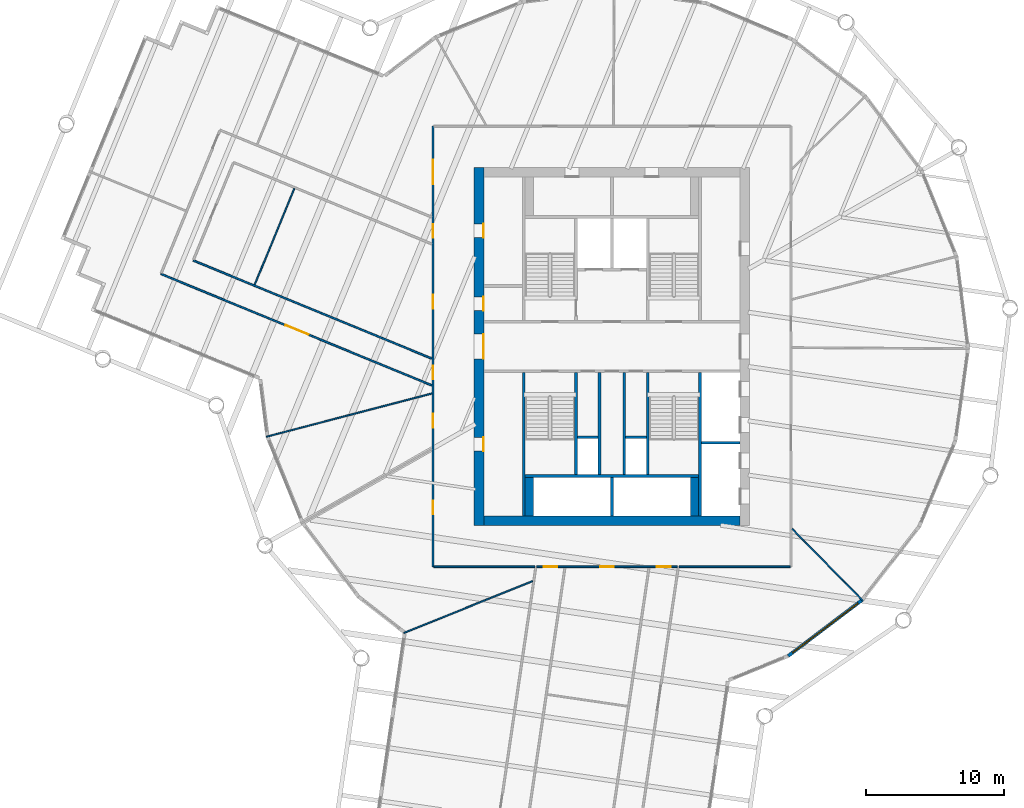
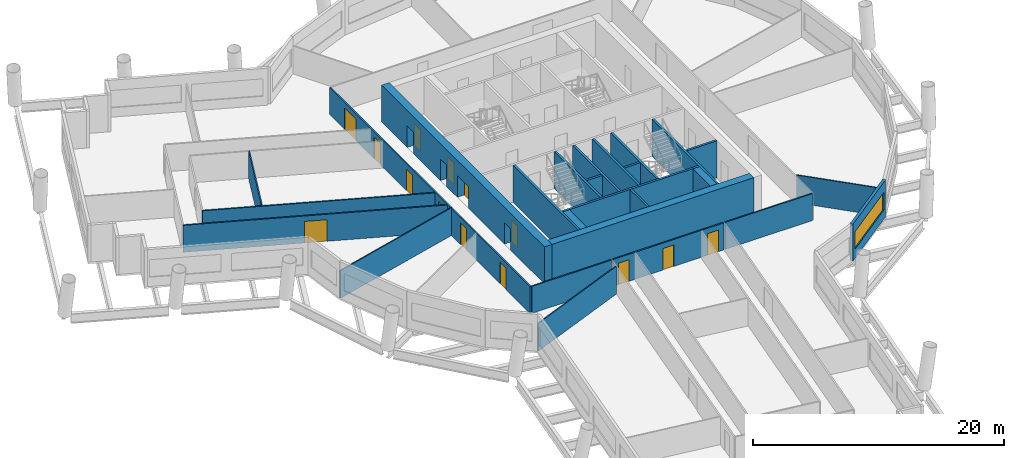
# One storey, part 4 of 11: 26 walls, 14 doors, 1 window, 15 openings.
"""IFC4 building model written with IfcOpenShell, lengths in metres."""

from ifc_helpers import new_model, si_unit, direction, frame, frame_2d, origin, place, context, subcontext, project, spatial, rectangle, extrude, material, layer, layer_set, type_object, element, fill, save


model = new_model("IFC4")

# Units and contexts
model_context = context("Model", 3, precision=1e-05, world=origin(), true_north=direction((0.0, 1.0)))
body_context = subcontext(model_context, "Body", "Model", "MODEL_VIEW")
ifc_project = project(units=[si_unit("LENGTHUNIT", "METRE"), si_unit("AREAUNIT", "SQUARE_METRE"), si_unit("VOLUMEUNIT", "CUBIC_METRE"), si_unit("PLANEANGLEUNIT", "RADIAN"), si_unit("MASSUNIT", "GRAM", prefix="KILO")], contexts=[model_context])

# Site, building, storey
site_placement = place(None, origin())
site = spatial("IfcSite", under=ifc_project, at=site_placement, CompositionType="ELEMENT")
building_placement = place(site_placement, origin())
building = spatial("IfcBuilding", under=site, at=building_placement, Name="Tarsis Ring Headquarters", CompositionType="ELEMENT")
storey_placement = place(building_placement, frame((0.0, 0.0, 190.5)))
storey = spatial("IfcBuildingStorey", under=building, at=storey_placement, Name="L44", CompositionType="ELEMENT", Elevation=190.5)

# Walls
ifc_material_1 = material(Name="Blockwork", Category="masonry")
ifc_layer_1 = layer(ifc_material_1, 0.199951171875)
ifc_layer_set_1 = layer_set([ifc_layer_1], Name="Core blockwork wall 200")
wall_type_1 = type_object("IfcWallType", Name="Core blockwork wall 200", PredefinedType="PARTITIONING", material=ifc_layer_set_1)
for number, where, z_axis, x_axis, name in (
    (1, (-2.5, -6.60009765625, 0.0), (0.0, 0.0, 1.0), (1.0, 0.0, 0.0), "Core partition SP1"),
    (2, (1.0, -6.60009765625, 0.0), (0.0, 0.0, 1.0), (1.0, 0.0, 0.0), "Core partition SP3"),
):
    element("IfcWall", number, at=place(storey_placement, frame(where, z_axis=z_axis, x_axis=x_axis)), inside=storey, type_object=wall_type_1, Name=name, PredefinedType="PARTITIONING", context=body_context, shape_type="SweptSolid", body=[
        extrude(rectangle(XDim=1.5, YDim=0.199951171875, at=frame_2d((0.75, 0.0))), origin(), (0.0, 0.0, 1.0), 3.60009765625),
    ])
for number, where, z_axis, x_axis, name in (
    (3, (-0.89990234375, -9.300048828125, 0.0), (0.0, 0.0, 1.0), (0.0, 1.0, 0.0), "Core partition SV1"),
    (4, (0.89990234375, -9.300048828125, 0.0), (0.0, 0.0, 1.0), (0.0, 1.0, 0.0), "Core partition SV2"),
):
    element("IfcWall", number, at=place(storey_placement, frame(where, z_axis=z_axis, x_axis=x_axis)), inside=storey, type_object=wall_type_1, Name=name, PredefinedType="PARTITIONING", context=body_context, shape_type="SweptSolid", body=[
        extrude(rectangle(XDim=7.400146484375, YDim=0.199951171875, at=frame_2d((3.7001953125, 0.0))), origin(), (0.0, 0.0, 1.0), 3.60009765625),
    ])

# Wall, openings, doors
ifc_material_2 = material(Name="Concrete C60/75", Category="concrete")
ifc_layer_2 = layer(ifc_material_2, 0.699951171875)
ifc_layer_set_2 = layer_set([ifc_layer_2], Name="Core wall 700 C60/75")
wall_type_2 = type_object("IfcWallType", Name="Core wall 700 C60/75", PredefinedType="SHEAR", material=ifc_layer_set_2)
wall_1_placement = place(storey_placement, frame((-9.64990234375, -13.0, 0.0), z_axis=(0.0, 0.0, 1.0), x_axis=(0.0, 1.0, 0.0)))
wall_1 = element("IfcWall", 5, at=wall_1_placement, inside=storey, type_object=wall_type_2, Name="Core wall OW", PredefinedType="SHEAR", context=body_context, shape_type="SweptSolid", body=[
    extrude(rectangle(XDim=26.0, YDim=0.699951171875, at=frame_2d((13.0, 0.0))), origin(), (0.0, 0.0, 1.0), 3.60009765625),
])
opening_1_placement = place(wall_1_placement, frame((5.39990234375, 0.0, 0.0)))
opening_1 = element("IfcOpeningElement", 6, at=opening_1_placement, cuts=wall_1, Name="Opening L44-C01", PredefinedType="OPENING", context=body_context, shape_type="SweptSolid", body=[
    extrude(rectangle(XDim=1.0, YDim=2.10009765625, at=frame_2d((0.5, 1.050048828125))), frame((0.0, 0.35986328125, 0.0), z_axis=(0.0, -1.0, 0.0), x_axis=(1.0, 0.0, 0.0)), (0.0, 0.0, 1.0), 0.719970703125),
])
opening_2_placement = place(wall_1_placement, frame((12.10009765625, 0.0, 0.0)))
opening_2 = element("IfcOpeningElement", 7, at=opening_2_placement, cuts=wall_1, Name="Opening L44-C02", PredefinedType="OPENING", context=body_context, shape_type="SweptSolid", body=[
    extrude(rectangle(XDim=1.800048828125, YDim=2.10009765625, at=frame_2d((0.89990234375, 1.050048828125))), frame((0.0, 0.35986328125, 0.0), z_axis=(0.0, -1.0, 0.0), x_axis=(1.0, 0.0, 0.0)), (0.0, 0.0, 1.0), 0.719970703125),
])
opening_3_placement = place(wall_1_placement, frame((15.60009765625, 0.0, 0.0)))
opening_3 = element("IfcOpeningElement", 8, at=opening_3_placement, cuts=wall_1, Name="Opening L44-C03", PredefinedType="OPENING", context=body_context, shape_type="SweptSolid", body=[
    extrude(rectangle(XDim=1.0, YDim=2.10009765625, at=frame_2d((0.5, 1.050048828125))), frame((0.0, 0.35986328125, 0.0), z_axis=(0.0, -1.0, 0.0), x_axis=(1.0, 0.0, 0.0)), (0.0, 0.0, 1.0), 0.719970703125),
])
opening_4_placement = place(wall_1_placement, frame((20.89990234375, 0.0, 0.0)))
opening_4 = element("IfcOpeningElement", 9, at=opening_4_placement, cuts=wall_1, Name="Opening L44-C04", PredefinedType="OPENING", context=body_context, shape_type="SweptSolid", body=[
    extrude(rectangle(XDim=1.0, YDim=2.10009765625, at=frame_2d((0.5, 1.050048828125))), frame((0.0, 0.35986328125, 0.0), z_axis=(0.0, -1.0, 0.0), x_axis=(1.0, 0.0, 0.0)), (0.0, 0.0, 1.0), 0.719970703125),
])
ifc_material_3 = material(Name="Steel S355", Category="steel")
door_type_1 = type_object("IfcDoorType", Name="Core entry door 1800x2100", OperationType="DOUBLE_DOOR_SINGLE_SWING", PredefinedType="DOOR", material=ifc_material_3)
door_1_placement = place(opening_2_placement, origin())
door_1 = element("IfcDoor", 10, at=door_1_placement, inside=storey, type_object=door_type_1, Name="Core entry door L44", OperationType="DOUBLE_DOOR_SINGLE_SWING", OverallHeight=2.10009765625, OverallWidth=1.800048828125, PredefinedType="DOOR", context=body_context, shape_type="SweptSolid", body=[
    extrude(rectangle(XDim=1.800048828125, YDim=2.10009765625, at=frame_2d((0.89990234375, 1.050048828125))), frame((0.0, -0.2998046875, 0.0), z_axis=(0.0, -1.0, 0.0), x_axis=(1.0, 0.0, 0.0)), (0.0, 0.0, 1.0), 0.050048828125),
])
fill(opening_2, door_1)
door_type_2 = type_object("IfcDoorType", Name="Core room door 1000x2100", OperationType="SINGLE_SWING_LEFT", PredefinedType="DOOR", material=ifc_material_3)
door_2_placement = place(opening_1_placement, origin())
door_2 = element("IfcDoor", 11, at=door_2_placement, inside=storey, type_object=door_type_2, Name="Core room door L44", OperationType="SINGLE_SWING_LEFT", OverallHeight=2.10009765625, OverallWidth=1.0, PredefinedType="DOOR", context=body_context, shape_type="SweptSolid", body=[
    extrude(rectangle(XDim=1.0, YDim=2.10009765625, at=frame_2d((0.5, 1.050048828125))), frame((0.0, -0.2998046875, 0.0), z_axis=(0.0, -1.0, 0.0), x_axis=(1.0, 0.0, 0.0)), (0.0, 0.0, 1.0), 0.050048828125),
])
fill(opening_1, door_2)
door_3_placement = place(opening_3_placement, origin())
door_3 = element("IfcDoor", 12, at=door_3_placement, inside=storey, type_object=door_type_2, Name="Core room door L44", OperationType="SINGLE_SWING_LEFT", OverallHeight=2.10009765625, OverallWidth=1.0, PredefinedType="DOOR", context=body_context, shape_type="SweptSolid", body=[
    extrude(rectangle(XDim=1.0, YDim=2.10009765625, at=frame_2d((0.5, 1.050048828125))), frame((0.0, -0.2998046875, 0.0), z_axis=(0.0, -1.0, 0.0), x_axis=(1.0, 0.0, 0.0)), (0.0, 0.0, 1.0), 0.050048828125),
])
fill(opening_3, door_3)
door_4_placement = place(opening_4_placement, origin())
door_4 = element("IfcDoor", 13, at=door_4_placement, inside=storey, type_object=door_type_2, Name="Core room door L44", OperationType="SINGLE_SWING_LEFT", OverallHeight=2.10009765625, OverallWidth=1.0, PredefinedType="DOOR", context=body_context, shape_type="SweptSolid", body=[
    extrude(rectangle(XDim=1.0, YDim=2.10009765625, at=frame_2d((0.5, 1.050048828125))), frame((0.0, -0.2998046875, 0.0), z_axis=(0.0, -1.0, 0.0), x_axis=(1.0, 0.0, 0.0)), (0.0, 0.0, 1.0), 0.050048828125),
])
fill(opening_4, door_4)

# Walls
wall_2_placement = place(storey_placement, frame((-9.300048828125, -12.64990234375, 0.0), z_axis=(0.0, 0.0, 1.0), x_axis=(1.0, 0.0, 0.0)))
element("IfcWall", 14, at=wall_2_placement, inside=storey, type_object=wall_type_2, Name="Core wall OS", PredefinedType="SHEAR", context=body_context, shape_type="SweptSolid", body=[
    extrude(rectangle(XDim=18.60009765625, YDim=0.699951171875, at=frame_2d((9.300048828125, 0.0))), origin(), (0.0, 0.0, 1.0), 3.60009765625),
])
ifc_material_4 = material(Name="Gypsum board on steel studs", Category="steel")
ifc_layer_3 = layer(ifc_material_4, 0.10009765625)
ifc_layer_set_3 = layer_set([ifc_layer_3], Name="FL partition 100 unrated")
wall_type_3 = type_object("IfcWallType", Name="FL partition 100 unrated", PredefinedType="PARTITIONING", material=ifc_layer_set_3)
wall_3_placement = place(storey_placement, frame((-25.10546875, -6.55810546875, 0.0), z_axis=(0.0, 0.0, 1.0), x_axis=(0.967534284059, 0.252739805275, 0.0)))
element("IfcWall", 15, at=wall_3_placement, inside=storey, type_object=wall_type_3, Name="Partition PW3", PredefinedType="PARTITIONING", context=body_context, shape_type="SweptSolid", body=[
    extrude(rectangle(XDim=12.44189453125, YDim=0.10009765625, at=frame_2d((6.220947265625, 0.0))), origin(), (0.0, 0.0, 1.0), 2.699951171875),
])
wall_4_placement = place(storey_placement, frame((-15.110107421875, -20.803466796875, 0.0), z_axis=(0.0, 0.0, 1.0), x_axis=(0.927899133871, 0.372831325617, 0.0)))
element("IfcWall", 16, at=wall_4_placement, inside=storey, type_object=wall_type_3, Name="Partition PW3", PredefinedType="PARTITIONING", context=body_context, shape_type="SweptSolid", body=[
    extrude(rectangle(XDim=10.0771484375, YDim=0.10009765625, at=frame_2d((5.03857421875, 0.0))), origin(), (0.0, 0.0, 1.0), 2.699951171875),
])
wall_5_placement = place(storey_placement, frame((-25.943603515625, 4.487060546875, 0.0), z_axis=(0.0, 0.0, 1.0), x_axis=(0.380426552612, 0.924811136431, 0.0)))
element("IfcWall", 17, at=wall_5_placement, inside=storey, type_object=wall_type_3, Name="Partition PW3", PredefinedType="PARTITIONING", context=body_context, shape_type="SweptSolid", body=[
    extrude(rectangle(XDim=7.559814453125, YDim=0.10009765625, at=frame_2d((3.77978515625, 0.0))), origin(), (0.0, 0.0, 1.0), 2.699951171875),
])
wall_6_placement = place(storey_placement, frame((13.084228515625, -13.249755859375, 0.0), z_axis=(0.0, 0.0, 1.0), x_axis=(0.702661066376, -0.711524719036, 0.0)))
element("IfcWall", 18, at=wall_6_placement, inside=storey, type_object=wall_type_3, Name="Partition PW3", PredefinedType="PARTITIONING", context=body_context, shape_type="SweptSolid", body=[
    extrude(rectangle(XDim=7.32666015625, YDim=0.10009765625, at=frame_2d((3.663330078125, 0.0))), origin(), (0.0, 0.0, 1.0), 2.699951171875),
])

# Wall, openings, doors
ifc_layer_4 = layer(ifc_material_4, 0.125)
ifc_layer_set_4 = layer_set([ifc_layer_4], Name="FL partition 125 EI 60 H2630")
wall_type_4 = type_object("IfcWallType", Name="FL partition 125 EI 60 H2630", PredefinedType="PARTITIONING", material=ifc_layer_set_4)
wall_7_placement = place(storey_placement, frame((-13.0, -16.0, 0.0), z_axis=(0.0, 0.0, 1.0), x_axis=(0.0, 1.0, 0.0)))
wall_7 = element("IfcWall", 19, at=wall_7_placement, inside=storey, type_object=wall_type_4, Name="Partition PW1H263", PredefinedType="PARTITIONING", context=body_context, shape_type="SweptSolid", body=[
    extrude(rectangle(XDim=31.998046875, YDim=0.125, at=frame_2d((15.9990234375, 0.0))), origin(), (0.0, 0.0, 1.0), 2.6298828125),
])
opening_5_placement = place(wall_7_placement, frame((27.778564453125, 0.0, 0.0)))
opening_5 = element("IfcOpeningElement", 20, at=opening_5_placement, cuts=wall_7, Name="Opening D44.03", PredefinedType="OPENING", context=body_context, shape_type="SweptSolid", body=[
    extrude(rectangle(XDim=1.800048828125, YDim=2.10009765625, at=frame_2d((0.89990234375, 1.050048828125))), frame((0.0, 0.072509765625, 0.0), z_axis=(0.0, -1.0, 0.0), x_axis=(1.0, 0.0, 0.0)), (0.0, 0.0, 1.0), 0.14501953125),
])
opening_6_placement = place(wall_7_placement, frame((3.801513671875, 0.0, 0.0)))
opening_6 = element("IfcOpeningElement", 21, at=opening_6_placement, cuts=wall_7, Name="Opening D44.12", PredefinedType="OPENING", context=body_context, shape_type="SweptSolid", body=[
    extrude(rectangle(XDim=1.0, YDim=2.10009765625, at=frame_2d((0.5, 1.050048828125))), frame((0.0, 0.072509765625, 0.0), z_axis=(0.0, -1.0, 0.0), x_axis=(1.0, 0.0, 0.0)), (0.0, 0.0, 1.0), 0.14501953125),
])
opening_7_placement = place(wall_7_placement, frame((10.103515625, 0.0, 0.0)))
opening_7 = element("IfcOpeningElement", 22, at=opening_7_placement, cuts=wall_7, Name="Opening D44.13", PredefinedType="OPENING", context=body_context, shape_type="SweptSolid", body=[
    extrude(rectangle(XDim=1.0, YDim=2.10009765625, at=frame_2d((0.5, 1.050048828125))), frame((0.0, 0.072509765625, 0.0), z_axis=(0.0, -1.0, 0.0), x_axis=(1.0, 0.0, 0.0)), (0.0, 0.0, 1.0), 0.14501953125),
])
opening_8_placement = place(wall_7_placement, frame((18.75, 0.0, 0.0)))
opening_8 = element("IfcOpeningElement", 23, at=opening_8_placement, cuts=wall_7, Name="Opening D44.14", PredefinedType="OPENING", context=body_context, shape_type="SweptSolid", body=[
    extrude(rectangle(XDim=1.0, YDim=2.10009765625, at=frame_2d((0.5, 1.050048828125))), frame((0.0, 0.072509765625, 0.0), z_axis=(0.0, -1.0, 0.0), x_axis=(1.0, 0.0, 0.0)), (0.0, 0.0, 1.0), 0.14501953125),
])
opening_9_placement = place(wall_7_placement, frame((13.61376953125, 0.0, 0.0)))
opening_9 = element("IfcOpeningElement", 24, at=opening_9_placement, cuts=wall_7, Name="Opening D44.20", PredefinedType="OPENING", context=body_context, shape_type="SweptSolid", body=[
    extrude(rectangle(XDim=1.0, YDim=2.10009765625, at=frame_2d((0.5, 1.050048828125))), frame((0.0, 0.072509765625, 0.0), z_axis=(0.0, -1.0, 0.0), x_axis=(1.0, 0.0, 0.0)), (0.0, 0.0, 1.0), 0.14501953125),
])
opening_10_placement = place(wall_7_placement, frame((23.885986328125, 0.0, 0.0)))
opening_10 = element("IfcOpeningElement", 25, at=opening_10_placement, cuts=wall_7, Name="Opening D44.21", PredefinedType="OPENING", context=body_context, shape_type="SweptSolid", body=[
    extrude(rectangle(XDim=1.0, YDim=2.10009765625, at=frame_2d((0.5, 1.050048828125))), frame((0.0, 0.072509765625, 0.0), z_axis=(0.0, -1.0, 0.0), x_axis=(1.0, 0.0, 0.0)), (0.0, 0.0, 1.0), 0.14501953125),
])
ifc_material_5 = material(Name="Fire-rated timber door leaf in steel frame", Category="steel")
door_type_3 = type_object("IfcDoorType", Name="FL door FD60-1000", OperationType="NOTDEFINED", PredefinedType="DOOR", material=ifc_material_5)
door_5_placement = place(opening_6_placement, origin())
door_5 = element("IfcDoor", 26, at=door_5_placement, inside=storey, type_object=door_type_3, Name="Door D44.12", OperationType="SINGLE_SWING_RIGHT", OverallHeight=2.10009765625, OverallWidth=1.0, PredefinedType="DOOR", context=body_context, shape_type="SweptSolid", body=[
    extrude(rectangle(XDim=1.0, YDim=2.10009765625, at=frame_2d((0.5, 1.050048828125))), frame((0.0, 0.02490234375, 0.0), z_axis=(0.0, -1.0, 0.0), x_axis=(1.0, 0.0, 0.0)), (0.0, 0.0, 1.0), 0.050048828125),
])
fill(opening_6, door_5)
door_6_placement = place(opening_7_placement, origin())
door_6 = element("IfcDoor", 27, at=door_6_placement, inside=storey, type_object=door_type_3, Name="Door D44.13", OperationType="SINGLE_SWING_LEFT", OverallHeight=2.10009765625, OverallWidth=1.0, PredefinedType="DOOR", context=body_context, shape_type="SweptSolid", body=[
    extrude(rectangle(XDim=1.0, YDim=2.10009765625, at=frame_2d((0.5, 1.050048828125))), frame((0.0, 0.02490234375, 0.0), z_axis=(0.0, -1.0, 0.0), x_axis=(1.0, 0.0, 0.0)), (0.0, 0.0, 1.0), 0.050048828125),
])
fill(opening_7, door_6)
door_7_placement = place(opening_8_placement, origin())
door_7 = element("IfcDoor", 28, at=door_7_placement, inside=storey, type_object=door_type_3, Name="Door D44.14", OperationType="SINGLE_SWING_RIGHT", OverallHeight=2.10009765625, OverallWidth=1.0, PredefinedType="DOOR", context=body_context, shape_type="SweptSolid", body=[
    extrude(rectangle(XDim=1.0, YDim=2.10009765625, at=frame_2d((0.5, 1.050048828125))), frame((0.0, 0.02490234375, 0.0), z_axis=(0.0, -1.0, 0.0), x_axis=(1.0, 0.0, 0.0)), (0.0, 0.0, 1.0), 0.050048828125),
])
fill(opening_8, door_7)
door_8_placement = place(opening_9_placement, origin())
door_8 = element("IfcDoor", 29, at=door_8_placement, inside=storey, type_object=door_type_3, Name="Door D44.20", OperationType="SINGLE_SWING_RIGHT", OverallHeight=2.10009765625, OverallWidth=1.0, PredefinedType="DOOR", context=body_context, shape_type="SweptSolid", body=[
    extrude(rectangle(XDim=1.0, YDim=2.10009765625, at=frame_2d((0.5, 1.050048828125))), frame((0.0, 0.02490234375, 0.0), z_axis=(0.0, -1.0, 0.0), x_axis=(1.0, 0.0, 0.0)), (0.0, 0.0, 1.0), 0.050048828125),
])
fill(opening_9, door_8)
door_9_placement = place(opening_10_placement, origin())
door_9 = element("IfcDoor", 30, at=door_9_placement, inside=storey, type_object=door_type_3, Name="Door D44.21", OperationType="SINGLE_SWING_LEFT", OverallHeight=2.10009765625, OverallWidth=1.0, PredefinedType="DOOR", context=body_context, shape_type="SweptSolid", body=[
    extrude(rectangle(XDim=1.0, YDim=2.10009765625, at=frame_2d((0.5, 1.050048828125))), frame((0.0, 0.02490234375, 0.0), z_axis=(0.0, -1.0, 0.0), x_axis=(1.0, 0.0, 0.0)), (0.0, 0.0, 1.0), 0.050048828125),
])
fill(opening_10, door_9)
door_type_4 = type_object("IfcDoorType", Name="FL door FD60-1800", OperationType="DOUBLE_DOOR_SINGLE_SWING", PredefinedType="DOOR", material=ifc_material_5)
door_10_placement = place(opening_5_placement, origin())
door_10 = element("IfcDoor", 31, at=door_10_placement, inside=storey, type_object=door_type_4, Name="Door D44.03", OperationType="DOUBLE_DOOR_SINGLE_SWING", OverallHeight=2.10009765625, OverallWidth=1.800048828125, PredefinedType="DOOR", context=body_context, shape_type="SweptSolid", body=[
    extrude(rectangle(XDim=1.800048828125, YDim=2.10009765625, at=frame_2d((0.89990234375, 1.050048828125))), frame((0.0, 0.02490234375, 0.0), z_axis=(0.0, -1.0, 0.0), x_axis=(1.0, 0.0, 0.0)), (0.0, 0.0, 1.0), 0.050048828125),
])
fill(opening_5, door_10)

# Wall
wall_8_placement = place(storey_placement, frame((-12.93994140625, -16.0, 0.0), z_axis=(0.0, 0.0, 1.0), x_axis=(1.0, 0.0, 0.0)))
element("IfcWall", 32, at=wall_8_placement, inside=storey, type_object=wall_type_4, Name="Partition PW1H263", PredefinedType="PARTITIONING", context=body_context, shape_type="SweptSolid", body=[
    extrude(rectangle(XDim=7.342529296875, YDim=0.125, at=frame_2d((3.67138671875, 0.0))), origin(), (0.0, 0.0, 1.0), 2.6298828125),
])

# Wall, openings, doors
wall_9_placement = place(storey_placement, frame((-5.463134765625, -16.0, 0.0), z_axis=(0.0, 0.0, 1.0), x_axis=(1.0, 0.0, 0.0)))
wall_9 = element("IfcWall", 33, at=wall_9_placement, inside=storey, type_object=wall_type_4, Name="Partition PW1H263", PredefinedType="PARTITIONING", context=body_context, shape_type="SweptSolid", body=[
    extrude(rectangle(XDim=10.2158203125, YDim=0.125, at=frame_2d((5.10791015625, 0.0))), origin(), (0.0, 0.0, 1.0), 2.6298828125),
])
opening_11_placement = place(wall_9_placement, frame((4.61328125, 0.0, 0.0)))
opening_11 = element("IfcOpeningElement", 34, at=opening_11_placement, cuts=wall_9, Name="Opening D44.16", PredefinedType="OPENING", context=body_context, shape_type="SweptSolid", body=[
    extrude(rectangle(XDim=1.0, YDim=2.10009765625, at=frame_2d((0.5, 1.050048828125))), frame((0.0, 0.072509765625, 0.0), z_axis=(0.0, -1.0, 0.0), x_axis=(1.0, 0.0, 0.0)), (0.0, 0.0, 1.0), 0.14501953125),
])
opening_12_placement = place(wall_9_placement, frame((0.49951171875, 0.0, 0.0)))
opening_12 = element("IfcOpeningElement", 35, at=opening_12_placement, cuts=wall_9, Name="Opening D44.18", PredefinedType="OPENING", context=body_context, shape_type="SweptSolid", body=[
    extrude(rectangle(XDim=1.0, YDim=2.10009765625, at=frame_2d((0.5, 1.050048828125))), frame((0.0, 0.072509765625, 0.0), z_axis=(0.0, -1.0, 0.0), x_axis=(1.0, 0.0, 0.0)), (0.0, 0.0, 1.0), 0.14501953125),
])
opening_13_placement = place(wall_9_placement, frame((8.726806640625, 0.0, 0.0)))
opening_13 = element("IfcOpeningElement", 36, at=opening_13_placement, cuts=wall_9, Name="Opening D44.19", PredefinedType="OPENING", context=body_context, shape_type="SweptSolid", body=[
    extrude(rectangle(XDim=1.0, YDim=2.10009765625, at=frame_2d((0.5, 1.050048828125))), frame((0.0, 0.072509765625, 0.0), z_axis=(0.0, -1.0, 0.0), x_axis=(1.0, 0.0, 0.0)), (0.0, 0.0, 1.0), 0.14501953125),
])
door_11_placement = place(opening_11_placement, origin())
door_11 = element("IfcDoor", 37, at=door_11_placement, inside=storey, type_object=door_type_3, Name="Door D44.16", OperationType="SINGLE_SWING_RIGHT", OverallHeight=2.10009765625, OverallWidth=1.0, PredefinedType="DOOR", context=body_context, shape_type="SweptSolid", body=[
    extrude(rectangle(XDim=1.0, YDim=2.10009765625, at=frame_2d((0.5, 1.050048828125))), frame((0.0, 0.02490234375, 0.0), z_axis=(0.0, -1.0, 0.0), x_axis=(1.0, 0.0, 0.0)), (0.0, 0.0, 1.0), 0.050048828125),
])
fill(opening_11, door_11)
door_12_placement = place(opening_12_placement, origin())
door_12 = element("IfcDoor", 38, at=door_12_placement, inside=storey, type_object=door_type_3, Name="Door D44.18", OperationType="SINGLE_SWING_RIGHT", OverallHeight=2.10009765625, OverallWidth=1.0, PredefinedType="DOOR", context=body_context, shape_type="SweptSolid", body=[
    extrude(rectangle(XDim=1.0, YDim=2.10009765625, at=frame_2d((0.5, 1.050048828125))), frame((0.0, 0.02490234375, 0.0), z_axis=(0.0, -1.0, 0.0), x_axis=(1.0, 0.0, 0.0)), (0.0, 0.0, 1.0), 0.050048828125),
])
fill(opening_12, door_12)
door_13_placement = place(opening_13_placement, origin())
door_13 = element("IfcDoor", 39, at=door_13_placement, inside=storey, type_object=door_type_3, Name="Door D44.19", OperationType="SINGLE_SWING_LEFT", OverallHeight=2.10009765625, OverallWidth=1.0, PredefinedType="DOOR", context=body_context, shape_type="SweptSolid", body=[
    extrude(rectangle(XDim=1.0, YDim=2.10009765625, at=frame_2d((0.5, 1.050048828125))), frame((0.0, 0.02490234375, 0.0), z_axis=(0.0, -1.0, 0.0), x_axis=(1.0, 0.0, 0.0)), (0.0, 0.0, 1.0), 0.050048828125),
])
fill(opening_13, door_13)

# Wall
wall_10_placement = place(storey_placement, frame((4.88671875, -16.0, 0.0), z_axis=(0.0, 0.0, 1.0), x_axis=(1.0, 0.0, 0.0)))
element("IfcWall", 40, at=wall_10_placement, inside=storey, type_object=wall_type_4, Name="Partition PW1H263", PredefinedType="PARTITIONING", context=body_context, shape_type="SweptSolid", body=[
    extrude(rectangle(XDim=8.05126953125, YDim=0.125, at=frame_2d((4.025634765625, 0.0))), origin(), (0.0, 0.0, 1.0), 2.6298828125),
])

# Wall, opening, door
wall_11_placement = place(storey_placement, frame((-32.7587890625, 5.268310546875, 0.0), z_axis=(0.0, 0.0, 1.0), x_axis=(0.924813503926, -0.380420797219, 0.0)))
wall_11 = element("IfcWall", 41, at=wall_11_placement, inside=storey, type_object=wall_type_4, Name="Partition PW1H263", PredefinedType="PARTITIONING", context=body_context, shape_type="SweptSolid", body=[
    extrude(rectangle(XDim=21.275146484375, YDim=0.125, at=frame_2d((10.6376953125, 0.0))), origin(), (0.0, 0.0, 1.0), 2.6298828125),
])
opening_14_placement = place(wall_11_placement, frame((9.78271484375, 0.0, 0.0)))
opening_14 = element("IfcOpeningElement", 42, at=opening_14_placement, cuts=wall_11, Name="Opening D44.01", PredefinedType="OPENING", context=body_context, shape_type="SweptSolid", body=[
    extrude(rectangle(XDim=1.800048828125, YDim=2.10009765625, at=frame_2d((0.89990234375, 1.050048828125))), frame((0.0, 0.072509765625, 0.0), z_axis=(0.0, -1.0, 0.0), x_axis=(1.0, 0.0, 0.0)), (0.0, 0.0, 1.0), 0.14501953125),
])
door_14_placement = place(opening_14_placement, origin())
door_14 = element("IfcDoor", 43, at=door_14_placement, inside=storey, type_object=door_type_4, Name="Door D44.01", OperationType="DOUBLE_DOOR_SINGLE_SWING", OverallHeight=2.10009765625, OverallWidth=1.800048828125, PredefinedType="DOOR", context=body_context, shape_type="SweptSolid", body=[
    extrude(rectangle(XDim=1.800048828125, YDim=2.10009765625, at=frame_2d((0.89990234375, 1.050048828125))), frame((0.0, 0.02490234375, 0.0), z_axis=(0.0, -1.0, 0.0), x_axis=(1.0, 0.0, 0.0)), (0.0, 0.0, 1.0), 0.050048828125),
])
fill(opening_14, door_14)

# Wall
wall_12_placement = place(storey_placement, frame((-30.409423828125, 6.248291015625, 0.0), z_axis=(0.0, 0.0, 1.0), x_axis=(0.924811632576, -0.380425346491, 0.0)))
element("IfcWall", 44, at=wall_12_placement, inside=storey, type_object=wall_type_4, Name="Partition PW1H263", PredefinedType="PARTITIONING", context=body_context, shape_type="SweptSolid", body=[
    extrude(rectangle(XDim=18.73486328125, YDim=0.125, at=frame_2d((9.367431640625, 0.0))), origin(), (0.0, 0.0, 1.0), 2.6298828125),
])

# Wall, opening, window
ifc_material_6 = material(Name="Terracotta clad insulated panel wall", Category="masonry")
ifc_layer_5 = layer(ifc_material_6, 0.25)
ifc_layer_set_5 = layer_set([ifc_layer_5], Name="Facade wall terracotta panel 250")
wall_type_5 = type_object("IfcWallType", Name="Facade wall terracotta panel 250", PredefinedType="STANDARD", material=ifc_layer_set_5)
wall_13_placement = place(storey_placement, frame((12.80908203125, -22.478271484375, 0.0), z_axis=(0.0, 0.0, 1.0), x_axis=(0.797171080382, 0.603753483305, 0.0)))
wall_13 = element("IfcWall", 45, at=wall_13_placement, inside=storey, type_object=wall_type_5, Name="External wall L44-18", PredefinedType="STANDARD", context=body_context, shape_type="SweptSolid", body=[
    extrude(rectangle(XDim=6.721435546875, YDim=0.25, at=frame_2d((3.36083984375, 0.0))), origin(), (0.0, 0.0, 1.0), 3.60009765625),
])
opening_15_placement = place(wall_13_placement, frame((0.3857421875, 0.0, 0.89990234375)))
opening_15 = element("IfcOpeningElement", 46, at=opening_15_placement, cuts=wall_13, Name="Opening WN07", PredefinedType="OPENING", context=body_context, shape_type="SweptSolid", body=[
    extrude(rectangle(XDim=5.949951171875, YDim=1.699951171875, at=frame_2d((2.97509765625, 0.85009765625))), frame((0.0, 0.135009765625, 0.0), z_axis=(0.0, -1.0, 0.0), x_axis=(1.0, 0.0, 0.0)), (0.0, 0.0, 1.0), 0.27001953125),
])
ifc_material_7 = material(Name="Aluminium framed double glazing", Category="aluminium")
window_type = type_object("IfcWindowType", Name="Facade window 5950 x 1700", PartitioningType="SINGLE_PANEL", PredefinedType="WINDOW", material=ifc_material_7)
window_placement = place(opening_15_placement, origin())
window = element("IfcWindow", 47, at=window_placement, inside=storey, type_object=window_type, Name="Window L44-18.1", OverallHeight=1.699951171875, OverallWidth=5.949951171875, PartitioningType="SINGLE_PANEL", PredefinedType="WINDOW", context=body_context, shape_type="SweptSolid", body=[
    extrude(rectangle(XDim=5.949951171875, YDim=1.699951171875, at=frame_2d((2.97509765625, 0.85009765625))), frame((0.0, 0.030029296875, 0.0), z_axis=(0.0, -1.0, 0.0), x_axis=(1.0, 0.0, 0.0)), (0.0, 0.0, 1.0), 0.06005859375),
])
fill(opening_15, window)

# Walls
ifc_material_8 = material(Name="Concrete C32/40", Category="concrete")
ifc_layer_6 = layer(ifc_material_8, 0.60009765625)
ifc_layer_set_6 = layer_set([ifc_layer_6], Name="Shaft end wall 600 C32/40")
wall_type_6 = type_object("IfcWallType", Name="Shaft end wall 600 C32/40", PredefinedType="SOLIDWALL", material=ifc_layer_set_6)
for number, where, z_axis, x_axis, name in (
    (48, (-6.0, -12.300048828125, 0.0), (0.0, 0.0, 1.0), (0.0, 1.0, 0.0), "Core shaft wall SNE1"),
    (49, (6.0, -12.300048828125, 0.0), (0.0, 0.0, 1.0), (0.0, 1.0, 0.0), "Core shaft wall SNE2"),
):
    element("IfcWall", number, at=place(storey_placement, frame(where, z_axis=z_axis, x_axis=x_axis)), inside=storey, type_object=wall_type_6, Name=name, PredefinedType="SOLIDWALL", context=body_context, shape_type="SweptSolid", body=[
        extrude(rectangle(XDim=2.800048828125, YDim=0.60009765625, at=frame_2d((1.39990234375, 0.0))), origin(), (0.0, 0.0, 1.0), 3.60009765625),
    ])
ifc_layer_7 = layer(ifc_material_8, 0.199951171875)
ifc_layer_set_7 = layer_set([ifc_layer_7], Name="Shaft wall 200 C32/40")
wall_type_7 = type_object("IfcWallType", Name="Shaft wall 200 C32/40", PredefinedType="SOLIDWALL", material=ifc_layer_set_7)
for number, where, z_axis, x_axis, name in (
    (50, (-6.39990234375, -12.300048828125, 0.0), (0.0, 0.0, 1.0), (0.0, 1.0, 0.0), "Core shaft wall WB1"),
    (51, (6.39990234375, -12.300048828125, 0.0), (0.0, 0.0, 1.0), (0.0, 1.0, 0.0), "Core shaft wall EB1"),
):
    element("IfcWall", number, at=place(storey_placement, frame(where, z_axis=z_axis, x_axis=x_axis)), inside=storey, type_object=wall_type_7, Name=name, PredefinedType="SOLIDWALL", context=body_context, shape_type="SweptSolid", body=[
        extrude(rectangle(XDim=10.400146484375, YDim=0.199951171875, at=frame_2d((5.2001953125, 0.0))), origin(), (0.0, 0.0, 1.0), 3.60009765625),
    ])
wall_14_placement = place(storey_placement, frame((-6.300048828125, -9.39990234375, 0.0), z_axis=(0.0, 0.0, 1.0), x_axis=(1.0, 0.0, 0.0)))
element("IfcWall", 52, at=wall_14_placement, inside=storey, type_object=wall_type_7, Name="Core shaft wall SB", PredefinedType="SOLIDWALL", context=body_context, shape_type="SweptSolid", body=[
    extrude(rectangle(XDim=12.60009765625, YDim=0.199951171875, at=frame_2d((6.300048828125, 0.0))), origin(), (0.0, 0.0, 1.0), 3.60009765625),
])
for number, where, z_axis, x_axis, name in (
    (53, (-2.60009765625, -9.300048828125, 0.0), (0.0, 0.0, 1.0), (0.0, 1.0, 0.0), "Core shaft wall SW3"),
    (54, (2.60009765625, -9.300048828125, 0.0), (0.0, 0.0, 1.0), (0.0, 1.0, 0.0), "Core shaft wall SW4"),
):
    element("IfcWall", number, at=place(storey_placement, frame(where, z_axis=z_axis, x_axis=x_axis)), inside=storey, type_object=wall_type_7, Name=name, PredefinedType="SOLIDWALL", context=body_context, shape_type="SweptSolid", body=[
        extrude(rectangle(XDim=7.400146484375, YDim=0.199951171875, at=frame_2d((3.7001953125, 0.0))), origin(), (0.0, 0.0, 1.0), 3.60009765625),
    ])
for number, where, z_axis, x_axis, name in (
    (55, (6.5, -7.0, 0.0), (0.0, 0.0, 1.0), (1.0, 0.0, 0.0), "Core shaft wall ED2"),
    (56, (0.0, -12.300048828125, 0.0), (0.0, 0.0, 1.0), (0.0, 1.0, 0.0), "Core shaft wall SD2"),
):
    element("IfcWall", number, at=place(storey_placement, frame(where, z_axis=z_axis, x_axis=x_axis)), inside=storey, type_object=wall_type_7, Name=name, PredefinedType="SOLIDWALL", context=body_context, shape_type="SweptSolid", body=[
        extrude(rectangle(XDim=2.800048828125, YDim=0.199951171875, at=frame_2d((1.39990234375, 0.0))), origin(), (0.0, 0.0, 1.0), 3.60009765625),
    ])

save(model, "model.ifc")
